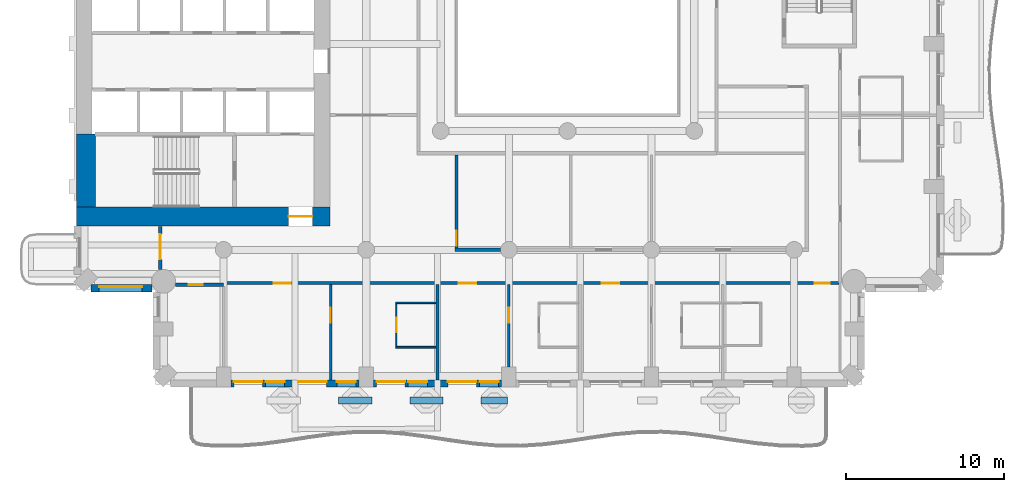
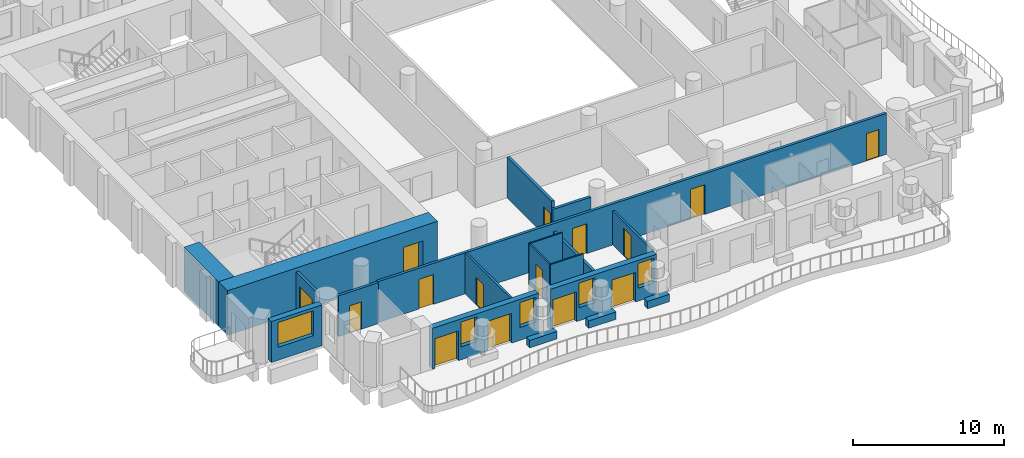
# One storey, part 3 of 19: 19 walls, 15 doors, 5 windows, 20 openings.
"""IFC4 building model written with IfcOpenShell, lengths in metres."""

from ifc_helpers import new_model, si_unit, direction, frame, frame_2d, origin, place, context, subcontext, project, spatial, rectangle, extrude, material, layer, layer_set, type_object, element, fill, save


model = new_model("IFC4")

# Units and contexts
model_context = context("Model", 3, precision=1e-05, world=origin(), true_north=direction((0.0, 1.0)))
body_context = subcontext(model_context, "Body", "Model", "MODEL_VIEW")
ifc_project = project(units=[si_unit("LENGTHUNIT", "METRE"), si_unit("AREAUNIT", "SQUARE_METRE"), si_unit("VOLUMEUNIT", "CUBIC_METRE"), si_unit("PLANEANGLEUNIT", "RADIAN"), si_unit("MASSUNIT", "GRAM", prefix="KILO")], contexts=[model_context])

# Site, building, storey
site_placement = place(None, origin())
site = spatial("IfcSite", under=ifc_project, at=site_placement, CompositionType="ELEMENT")
building_placement = place(site_placement, origin())
building = spatial("IfcBuilding", under=site, at=building_placement, Name="Cypress Arch Tower", CompositionType="ELEMENT")
storey_placement = place(building_placement, frame((0.0, 0.0, 138.300048828125)))
storey = spatial("IfcBuildingStorey", under=building, at=storey_placement, Name="L30", CompositionType="ELEMENT", Elevation=138.300048828125)

# Walls
ifc_material_1 = material(Name="Concrete C40/50, waterproofed", Category="concrete")
ifc_layer_1 = layer(ifc_material_1, 0.449951171875)
ifc_layer_set_1 = layer_set([ifc_layer_1], Name="Balcony planter wall PW450")
wall_type_1 = type_object("IfcWallType", Name="Balcony planter wall PW450", PredefinedType="SOLIDWALL", material=ifc_layer_set_1)
for number, where, z_axis, x_axis, name in (
    (1, (-13.449951171875, -27.0, 0.0), (0.0, 0.0, 1.0), (1.0, 0.0, 0.0), "Balcony planter wall L30-A03.2"),
    (2, (-8.949951171875, -27.0, 0.0), (0.0, 0.0, 1.0), (1.0, 0.0, 0.0), "Balcony planter wall L30-A03.3"),
):
    element("IfcWall", number, at=place(storey_placement, frame(where, z_axis=z_axis, x_axis=x_axis)), inside=storey, type_object=wall_type_1, Name=name, PredefinedType="SOLIDWALL", context=body_context, shape_type="SweptSolid", body=[
        extrude(rectangle(XDim=2.099853515625, YDim=0.449951171875, at=frame_2d((1.0498046875, 0.0))), origin(), (0.0, 0.0, 1.0), 0.599853515625),
    ])
wall_1_placement = place(storey_placement, frame((-4.449951171875, -27.0, 0.0), z_axis=(0.0, 0.0, 1.0), x_axis=(1.0, 0.0, 0.0)))
element("IfcWall", 3, at=wall_1_placement, inside=storey, type_object=wall_type_1, Name="Balcony planter wall L30-A03.4", PredefinedType="SOLIDWALL", context=body_context, shape_type="SweptSolid", body=[
    extrude(rectangle(XDim=1.64990234375, YDim=0.449951171875, at=frame_2d((0.824951171875, 0.0))), origin(), (0.0, 0.0, 1.0), 0.599853515625),
])

# Wall, opening, window
ifc_material_2 = material(Name="Brick (red buff blend)", Category="masonry")
ifc_layer_2 = layer(ifc_material_2, 0.449951171875)
ifc_layer_set_2 = layer_set([ifc_layer_2], Name="Brick pier and spandrel wall BW450")
wall_type_2 = type_object("IfcWallType", Name="Brick pier and spandrel wall BW450", PredefinedType="SOLIDWALL", material=ifc_layer_set_2)
wall_2_placement = place(storey_placement, frame((-29.063720703125, -19.925048828125, 0.0), z_axis=(0.0, 0.0, 1.0), x_axis=(1.0, 0.0, 0.0)))
wall_2 = element("IfcWall", 4, at=wall_2_placement, inside=storey, type_object=wall_type_2, Name="Brick wall L30 A01.0", PredefinedType="SOLIDWALL", context=body_context, shape_type="SweptSolid", body=[
    extrude(rectangle(XDim=3.856689453125, YDim=0.449951171875, at=frame_2d((1.92822265625, 0.0))), origin(), (0.0, 0.0, 1.0), 3.300048828125),
])
opening_1_placement = place(wall_2_placement, frame((0.513671875, 0.0, 1.050048828125)))
opening_1 = element("IfcOpeningElement", 5, at=opening_1_placement, cuts=wall_2, Name="Opening W270H", PredefinedType="OPENING", context=body_context, shape_type="SweptSolid", body=[
    extrude(rectangle(XDim=2.699951171875, YDim=2.0, at=frame_2d((1.35009765625, 1.0))), frame((0.0, 0.23486328125, 0.0), z_axis=(0.0, -1.0, 0.0), x_axis=(1.0, 0.0, 0.0)), (0.0, 0.0, 1.0), 0.469970703125),
])
ifc_material_3 = material(Name="Anodised aluminium, bronze finish, clear low-emissivity double glazing", Category="aluminium")
window_type_1 = type_object("IfcWindowType", Name="Window Hotel 2700x2000", PartitioningType="SINGLE_PANEL", PredefinedType="WINDOW", material=ifc_material_3)
window_1_placement = place(opening_1_placement, origin())
window_1 = element("IfcWindow", 6, at=window_1_placement, inside=storey, type_object=window_type_1, Name="Window L30 A01.0.1", OverallHeight=2.0, OverallWidth=2.699951171875, PartitioningType="SINGLE_PANEL", PredefinedType="WINDOW", context=body_context, shape_type="SweptSolid", body=[
    extrude(rectangle(XDim=2.699951171875, YDim=2.0, at=frame_2d((1.35009765625, 1.0))), frame((0.0, 0.135009765625, 0.0), z_axis=(0.0, -1.0, 0.0), x_axis=(1.0, 0.0, 0.0)), (0.0, 0.0, 1.0), 0.06005859375),
])
fill(opening_1, window_1)

# Wall, openings, doors, windows
wall_3_placement = place(storey_placement, frame((-20.25, -25.925048828125, 0.0), z_axis=(0.0, 0.0, 1.0), x_axis=(1.0, 0.0, 0.0)))
wall_3 = element("IfcWall", 7, at=wall_3_placement, inside=storey, type_object=wall_type_2, Name="Brick wall L30 A03.1", PredefinedType="SOLIDWALL", context=body_context, shape_type="SweptSolid", body=[
    extrude(rectangle(XDim=8.10009765625, YDim=0.449951171875, at=frame_2d((4.050048828125, 0.0))), origin(), (0.0, 0.0, 1.0), 3.300048828125),
])
opening_2_placement = place(wall_3_placement, frame((0.199951171875, 0.0, 0.0)))
opening_2 = element("IfcOpeningElement", 8, at=opening_2_placement, cuts=wall_3, Name="Opening D-L30-A03.1.1", PredefinedType="OPENING", context=body_context, shape_type="SweptSolid", body=[
    extrude(rectangle(XDim=1.800048828125, YDim=2.39990234375, at=frame_2d((0.89990234375, 1.199951171875))), frame((0.0, 0.23486328125, 0.0), z_axis=(0.0, -1.0, 0.0), x_axis=(1.0, 0.0, 0.0)), (0.0, 0.0, 1.0), 0.469970703125),
])
opening_3_placement = place(wall_3_placement, frame((2.199951171875, 0.0, 1.050048828125)))
opening_3 = element("IfcOpeningElement", 9, at=opening_3_placement, cuts=wall_3, Name="Opening W120HD", PredefinedType="OPENING", context=body_context, shape_type="SweptSolid", body=[
    extrude(rectangle(XDim=1.199951171875, YDim=2.0, at=frame_2d((0.60009765625, 1.0))), frame((0.0, 0.23486328125, 0.0), z_axis=(0.0, -1.0, 0.0), x_axis=(1.0, 0.0, 0.0)), (0.0, 0.0, 1.0), 0.469970703125),
])
opening_4_placement = place(wall_3_placement, frame((4.2490234375, 0.0, 0.0)))
opening_4 = element("IfcOpeningElement", 10, at=opening_4_placement, cuts=wall_3, Name="Opening D-L30-A03.1.2", PredefinedType="OPENING", context=body_context, shape_type="SweptSolid", body=[
    extrude(rectangle(XDim=1.800048828125, YDim=2.39990234375, at=frame_2d((0.89990234375, 1.199951171875))), frame((0.0, 0.23486328125, 0.0), z_axis=(0.0, -1.0, 0.0), x_axis=(1.0, 0.0, 0.0)), (0.0, 0.0, 1.0), 0.469970703125),
])
opening_5_placement = place(wall_3_placement, frame((6.699951171875, 0.0, 1.050048828125)))
opening_5 = element("IfcOpeningElement", 11, at=opening_5_placement, cuts=wall_3, Name="Opening W120HD", PredefinedType="OPENING", context=body_context, shape_type="SweptSolid", body=[
    extrude(rectangle(XDim=1.199951171875, YDim=2.0, at=frame_2d((0.60009765625, 1.0))), frame((0.0, 0.23486328125, 0.0), z_axis=(0.0, -1.0, 0.0), x_axis=(1.0, 0.0, 0.0)), (0.0, 0.0, 1.0), 0.469970703125),
])
ifc_material_4 = material(Name="Anodised aluminium, bronze finish, laminated low-emissivity double glazing, large-missile impact rated", Category="aluminium")
door_type_1 = type_object("IfcDoorType", Name="Balcony sliding door 1800x2400", OperationType="SLIDING_TO_LEFT", PredefinedType="DOOR", material=ifc_material_4)
door_1_placement = place(opening_2_placement, origin())
door_1 = element("IfcDoor", 12, at=door_1_placement, inside=storey, type_object=door_type_1, Name="Balcony door L30 A03.1.1", OperationType="SLIDING_TO_LEFT", OverallHeight=2.39990234375, OverallWidth=1.800048828125, PredefinedType="DOOR", context=body_context, shape_type="SweptSolid", body=[
    extrude(rectangle(XDim=1.800048828125, YDim=2.39990234375, at=frame_2d((0.89990234375, 1.199951171875))), frame((0.0, 0.1298828125, 0.0), z_axis=(0.0, -1.0, 0.0), x_axis=(1.0, 0.0, 0.0)), (0.0, 0.0, 1.0), 0.050048828125),
])
fill(opening_2, door_1)
door_2_placement = place(opening_4_placement, origin())
door_2 = element("IfcDoor", 13, at=door_2_placement, inside=storey, type_object=door_type_1, Name="Balcony door L30 A03.1.2", OperationType="SLIDING_TO_LEFT", OverallHeight=2.39990234375, OverallWidth=1.800048828125, PredefinedType="DOOR", context=body_context, shape_type="SweptSolid", body=[
    extrude(rectangle(XDim=1.800048828125, YDim=2.39990234375, at=frame_2d((0.89990234375, 1.199951171875))), frame((0.0, 0.1298828125, 0.0), z_axis=(0.0, -1.0, 0.0), x_axis=(1.0, 0.0, 0.0)), (0.0, 0.0, 1.0), 0.050048828125),
])
fill(opening_4, door_2)
ifc_material_5 = material(Name="Anodised aluminium, bronze finish, laminated low-emissivity double glazing, large-missile impact rated", Category="aluminium")
window_type_2 = type_object("IfcWindowType", Name="Window Hotel 1200x2000 debris-rated", PartitioningType="SINGLE_PANEL", PredefinedType="WINDOW", material=ifc_material_5)
window_2_placement = place(opening_3_placement, origin())
window_2 = element("IfcWindow", 14, at=window_2_placement, inside=storey, type_object=window_type_2, Name="Window L30 A03.1.1", OverallHeight=2.0, OverallWidth=1.199951171875, PartitioningType="SINGLE_PANEL", PredefinedType="WINDOW", context=body_context, shape_type="SweptSolid", body=[
    extrude(rectangle(XDim=1.199951171875, YDim=2.0, at=frame_2d((0.60009765625, 1.0))), frame((0.0, 0.135009765625, 0.0), z_axis=(0.0, -1.0, 0.0), x_axis=(1.0, 0.0, 0.0)), (0.0, 0.0, 1.0), 0.06005859375),
])
fill(opening_3, window_2)
window_3_placement = place(opening_5_placement, origin())
window_3 = element("IfcWindow", 15, at=window_3_placement, inside=storey, type_object=window_type_2, Name="Window L30 A03.1.2", OverallHeight=2.0, OverallWidth=1.199951171875, PartitioningType="SINGLE_PANEL", PredefinedType="WINDOW", context=body_context, shape_type="SweptSolid", body=[
    extrude(rectangle(XDim=1.199951171875, YDim=2.0, at=frame_2d((0.60009765625, 1.0))), frame((0.0, 0.135009765625, 0.0), z_axis=(0.0, -1.0, 0.0), x_axis=(1.0, 0.0, 0.0)), (0.0, 0.0, 1.0), 0.06005859375),
])
fill(opening_5, window_3)

wall_4_placement = place(storey_placement, frame((-11.25, -25.925048828125, 0.0), z_axis=(0.0, 0.0, 1.0), x_axis=(1.0, 0.0, 0.0)))
wall_4 = element("IfcWall", 16, at=wall_4_placement, inside=storey, type_object=wall_type_2, Name="Brick wall L30 A03.2", PredefinedType="SOLIDWALL", context=body_context, shape_type="SweptSolid", body=[
    extrude(rectangle(XDim=8.10009765625, YDim=0.449951171875, at=frame_2d((4.050048828125, 0.0))), origin(), (0.0, 0.0, 1.0), 3.300048828125),
])
opening_6_placement = place(wall_4_placement, frame((0.199951171875, 0.0, 0.0)))
opening_6 = element("IfcOpeningElement", 17, at=opening_6_placement, cuts=wall_4, Name="Opening D-L30-A03.2.1", PredefinedType="OPENING", context=body_context, shape_type="SweptSolid", body=[
    extrude(rectangle(XDim=1.800048828125, YDim=2.39990234375, at=frame_2d((0.89990234375, 1.199951171875))), frame((0.0, 0.23486328125, 0.0), z_axis=(0.0, -1.0, 0.0), x_axis=(1.0, 0.0, 0.0)), (0.0, 0.0, 1.0), 0.469970703125),
])
opening_7_placement = place(wall_4_placement, frame((2.199951171875, 0.0, 1.050048828125)))
opening_7 = element("IfcOpeningElement", 18, at=opening_7_placement, cuts=wall_4, Name="Opening W120HD", PredefinedType="OPENING", context=body_context, shape_type="SweptSolid", body=[
    extrude(rectangle(XDim=1.199951171875, YDim=2.0, at=frame_2d((0.60009765625, 1.0))), frame((0.0, 0.23486328125, 0.0), z_axis=(0.0, -1.0, 0.0), x_axis=(1.0, 0.0, 0.0)), (0.0, 0.0, 1.0), 0.469970703125),
])
opening_8_placement = place(wall_4_placement, frame((4.699951171875, 0.0, 0.0)))
opening_8 = element("IfcOpeningElement", 19, at=opening_8_placement, cuts=wall_4, Name="Opening D-L30-A03.2.2", PredefinedType="OPENING", context=body_context, shape_type="SweptSolid", body=[
    extrude(rectangle(XDim=1.800048828125, YDim=2.39990234375, at=frame_2d((0.89990234375, 1.199951171875))), frame((0.0, 0.23486328125, 0.0), z_axis=(0.0, -1.0, 0.0), x_axis=(1.0, 0.0, 0.0)), (0.0, 0.0, 1.0), 0.469970703125),
])
opening_9_placement = place(wall_4_placement, frame((6.699951171875, 0.0, 1.050048828125)))
opening_9 = element("IfcOpeningElement", 20, at=opening_9_placement, cuts=wall_4, Name="Opening W120HD", PredefinedType="OPENING", context=body_context, shape_type="SweptSolid", body=[
    extrude(rectangle(XDim=1.199951171875, YDim=2.0, at=frame_2d((0.60009765625, 1.0))), frame((0.0, 0.23486328125, 0.0), z_axis=(0.0, -1.0, 0.0), x_axis=(1.0, 0.0, 0.0)), (0.0, 0.0, 1.0), 0.469970703125),
])
door_3_placement = place(opening_6_placement, origin())
door_3 = element("IfcDoor", 21, at=door_3_placement, inside=storey, type_object=door_type_1, Name="Balcony door L30 A03.2.1", OperationType="SLIDING_TO_LEFT", OverallHeight=2.39990234375, OverallWidth=1.800048828125, PredefinedType="DOOR", context=body_context, shape_type="SweptSolid", body=[
    extrude(rectangle(XDim=1.800048828125, YDim=2.39990234375, at=frame_2d((0.89990234375, 1.199951171875))), frame((0.0, 0.1298828125, 0.0), z_axis=(0.0, -1.0, 0.0), x_axis=(1.0, 0.0, 0.0)), (0.0, 0.0, 1.0), 0.050048828125),
])
fill(opening_6, door_3)
door_4_placement = place(opening_8_placement, origin())
door_4 = element("IfcDoor", 22, at=door_4_placement, inside=storey, type_object=door_type_1, Name="Balcony door L30 A03.2.2", OperationType="SLIDING_TO_LEFT", OverallHeight=2.39990234375, OverallWidth=1.800048828125, PredefinedType="DOOR", context=body_context, shape_type="SweptSolid", body=[
    extrude(rectangle(XDim=1.800048828125, YDim=2.39990234375, at=frame_2d((0.89990234375, 1.199951171875))), frame((0.0, 0.1298828125, 0.0), z_axis=(0.0, -1.0, 0.0), x_axis=(1.0, 0.0, 0.0)), (0.0, 0.0, 1.0), 0.050048828125),
])
fill(opening_8, door_4)
window_4_placement = place(opening_7_placement, origin())
window_4 = element("IfcWindow", 23, at=window_4_placement, inside=storey, type_object=window_type_2, Name="Window L30 A03.2.1", OverallHeight=2.0, OverallWidth=1.199951171875, PartitioningType="SINGLE_PANEL", PredefinedType="WINDOW", context=body_context, shape_type="SweptSolid", body=[
    extrude(rectangle(XDim=1.199951171875, YDim=2.0, at=frame_2d((0.60009765625, 1.0))), frame((0.0, 0.135009765625, 0.0), z_axis=(0.0, -1.0, 0.0), x_axis=(1.0, 0.0, 0.0)), (0.0, 0.0, 1.0), 0.06005859375),
])
fill(opening_7, window_4)
window_5_placement = place(opening_9_placement, origin())
window_5 = element("IfcWindow", 24, at=window_5_placement, inside=storey, type_object=window_type_2, Name="Window L30 A03.2.2", OverallHeight=2.0, OverallWidth=1.199951171875, PartitioningType="SINGLE_PANEL", PredefinedType="WINDOW", context=body_context, shape_type="SweptSolid", body=[
    extrude(rectangle(XDim=1.199951171875, YDim=2.0, at=frame_2d((0.60009765625, 1.0))), frame((0.0, 0.135009765625, 0.0), z_axis=(0.0, -1.0, 0.0), x_axis=(1.0, 0.0, 0.0)), (0.0, 0.0, 1.0), 0.06005859375),
])
fill(opening_9, window_5)

# Wall, opening, door
ifc_material_6 = material(Name="Concrete C80/95", Category="concrete")
ifc_layer_3 = layer(ifc_material_6, 1.199951171875)
ifc_layer_set_3 = layer_set([ifc_layer_3], Name="Core wall CW1200 C80/95")
wall_type_3 = type_object("IfcWallType", Name="Core wall CW1200 C80/95", PredefinedType="SHEAR", material=ifc_layer_set_3)
wall_5_placement = place(storey_placement, frame((-30.0, -15.39990234375, 0.0), z_axis=(0.0, 0.0, 1.0), x_axis=(1.0, 0.0, 0.0)))
wall_5 = element("IfcWall", 25, at=wall_5_placement, inside=storey, type_object=wall_type_3, Name="Core wall", PredefinedType="SHEAR", context=body_context, shape_type="SweptSolid", body=[
    extrude(rectangle(XDim=16.0, YDim=1.199951171875, at=frame_2d((8.0, 0.0))), origin(), (0.0, 0.0, 1.0), 3.599853515625),
])
opening_10_placement = place(wall_5_placement, frame((13.39990234375, 0.0, 0.0)))
opening_10 = element("IfcOpeningElement", 26, at=opening_10_placement, cuts=wall_5, Name="Opening D07", PredefinedType="OPENING", context=body_context, shape_type="SweptSolid", body=[
    extrude(rectangle(XDim=1.5, YDim=2.39990234375, at=frame_2d((0.75, 1.199951171875))), frame((0.0, 0.60986328125, 0.0), z_axis=(0.0, -1.0, 0.0), x_axis=(1.0, 0.0, 0.0)), (0.0, 0.0, 1.0), 1.219970703125),
])
ifc_material_7 = material(Name="Steel framed glazed door, fire resisting", Category="steel")
door_type_2 = type_object("IfcDoorType", Name="Lobby door D07 1500x2400", OperationType="DOUBLE_DOOR_SINGLE_SWING", PredefinedType="DOOR", material=ifc_material_7)
door_5_placement = place(opening_10_placement, origin())
door_5 = element("IfcDoor", 27, at=door_5_placement, inside=storey, type_object=door_type_2, Name="Lobby door", OperationType="DOUBLE_DOOR_SINGLE_SWING", OverallHeight=2.39990234375, OverallWidth=1.5, PredefinedType="DOOR", context=body_context, shape_type="SweptSolid", body=[
    extrude(rectangle(XDim=1.5, YDim=2.39990234375, at=frame_2d((0.75, 1.199951171875))), frame((0.0, 0.02490234375, 0.0), z_axis=(0.0, -1.0, 0.0), x_axis=(1.0, 0.0, 0.0)), (0.0, 0.0, 1.0), 0.050048828125),
])
fill(opening_10, door_5)

# Wall
wall_6_placement = place(storey_placement, frame((-29.39990234375, -14.800048828125, 0.0), z_axis=(0.0, 0.0, 1.0), x_axis=(0.0, 1.0, 0.0)))
element("IfcWall", 28, at=wall_6_placement, inside=storey, type_object=wall_type_3, Name="Core wall", PredefinedType="SHEAR", context=body_context, shape_type="SweptSolid", body=[
    extrude(rectangle(XDim=4.60009765625, YDim=1.199951171875, at=frame_2d((2.300048828125, 0.0))), origin(), (0.0, 0.0, 1.0), 3.599853515625),
])

# Wall, opening, door
ifc_material_8 = material(Name="Concrete blockwork, plastered, rated", Category="masonry")
ifc_layer_4 = layer(ifc_material_8, 0.199951171875)
ifc_layer_set_4 = layer_set([ifc_layer_4], Name="Corridor wall FW200")
wall_type_4 = type_object("IfcWallType", Name="Corridor wall FW200", PredefinedType="PARTITIONING", material=ifc_layer_set_4)
wall_7_placement = place(storey_placement, frame((-24.699951171875, -18.752197265625, 0.0), z_axis=(0.0, 0.0, 1.0), x_axis=(0.0, 1.0, 0.0)))
wall_7 = element("IfcWall", 29, at=wall_7_placement, inside=storey, type_object=wall_type_4, Name="Corridor wall", PredefinedType="PARTITIONING", context=body_context, shape_type="SweptSolid", body=[
    extrude(rectangle(XDim=2.72216796875, YDim=0.199951171875, at=frame_2d((1.361083984375, 0.0))), origin(), (0.0, 0.0, 1.0), 3.300048828125),
])
opening_11_placement = place(wall_7_placement, frame((0.64990234375, 0.0, 0.0)))
opening_11 = element("IfcOpeningElement", 30, at=opening_11_placement, cuts=wall_7, Name="Opening D10", PredefinedType="OPENING", context=body_context, shape_type="SweptSolid", body=[
    extrude(rectangle(XDim=1.60009765625, YDim=2.39990234375, at=frame_2d((0.800048828125, 1.199951171875))), frame((0.0, 0.10986328125, 0.0), z_axis=(0.0, -1.0, 0.0), x_axis=(1.0, 0.0, 0.0)), (0.0, 0.0, 1.0), 0.219970703125),
])
ifc_material_9 = material(Name="Black aluminium glazed door", Category="aluminium")
door_type_3 = type_object("IfcDoorType", Name="Amenity door D10 1600x2400", OperationType="DOUBLE_DOOR_SINGLE_SWING", PredefinedType="DOOR", material=ifc_material_9)
door_6_placement = place(opening_11_placement, origin())
door_6 = element("IfcDoor", 31, at=door_6_placement, inside=storey, type_object=door_type_3, Name="Amenity door", OperationType="DOUBLE_DOOR_SINGLE_SWING", OverallHeight=2.39990234375, OverallWidth=1.60009765625, PredefinedType="DOOR", context=body_context, shape_type="SweptSolid", body=[
    extrude(rectangle(XDim=1.60009765625, YDim=2.39990234375, at=frame_2d((0.800048828125, 1.199951171875))), frame((0.0, 0.02490234375, 0.0), z_axis=(0.0, -1.0, 0.0), x_axis=(1.0, 0.0, 0.0)), (0.0, 0.0, 1.0), 0.050048828125),
])
fill(opening_11, door_6)

wall_8_placement = place(storey_placement, frame((-23.752197265625, -19.699951171875, 0.0), z_axis=(0.0, 0.0, 1.0), x_axis=(1.0, 0.0, 0.0)))
wall_8 = element("IfcWall", 32, at=wall_8_placement, inside=storey, type_object=wall_type_4, Name="Corridor wall", PredefinedType="PARTITIONING", context=body_context, shape_type="SweptSolid", body=[
    extrude(rectangle(XDim=3.05224609375, YDim=0.199951171875, at=frame_2d((1.526123046875, 0.0))), origin(), (0.0, 0.0, 1.0), 3.300048828125),
])
opening_12_placement = place(wall_8_placement, frame((0.85009765625, 0.0, 0.0)))
opening_12 = element("IfcOpeningElement", 33, at=opening_12_placement, cuts=wall_8, Name="Opening D05", PredefinedType="OPENING", context=body_context, shape_type="SweptSolid", body=[
    extrude(rectangle(XDim=0.89990234375, YDim=2.199951171875, at=frame_2d((0.449951171875, 1.10009765625))), frame((0.0, 0.10986328125, 0.0), z_axis=(0.0, -1.0, 0.0), x_axis=(1.0, 0.0, 0.0)), (0.0, 0.0, 1.0), 0.219970703125),
])
ifc_material_10 = material(Name="Timber flush door", Category="wood")
door_type_4 = type_object("IfcDoorType", Name="Service door D05 900x2200", OperationType="SINGLE_SWING_LEFT", PredefinedType="DOOR", material=ifc_material_10)
door_7_placement = place(opening_12_placement, origin())
door_7 = element("IfcDoor", 34, at=door_7_placement, inside=storey, type_object=door_type_4, Name="Service door", OperationType="SINGLE_SWING_RIGHT", OverallHeight=2.199951171875, OverallWidth=0.89990234375, PredefinedType="DOOR", context=body_context, shape_type="SweptSolid", body=[
    extrude(rectangle(XDim=0.89990234375, YDim=2.199951171875, at=frame_2d((0.449951171875, 1.10009765625))), frame((0.0, 0.02490234375, 0.0), z_axis=(0.0, -1.0, 0.0), x_axis=(1.0, 0.0, 0.0)), (0.0, 0.0, 1.0), 0.050048828125),
])
fill(opening_12, door_7)

# Wall, openings, doors
wall_9_placement = place(storey_placement, frame((-20.699951171875, -19.60009765625, 0.0), z_axis=(0.0, 0.0, 1.0), x_axis=(1.0, 0.0, 0.0)))
wall_9 = element("IfcWall", 35, at=wall_9_placement, inside=storey, type_object=wall_type_4, Name="Corridor wall", PredefinedType="PARTITIONING", context=body_context, shape_type="SweptSolid", body=[
    extrude(rectangle(XDim=38.824951171875, YDim=0.199951171875, at=frame_2d((19.41259765625, 0.0))), origin(), (0.0, 0.0, 1.0), 3.300048828125),
])
opening_13_placement = place(wall_9_placement, frame((3.14990234375, 0.0, 0.0)))
opening_13 = element("IfcOpeningElement", 36, at=opening_13_placement, cuts=wall_9, Name="Opening D01", PredefinedType="OPENING", context=body_context, shape_type="SweptSolid", body=[
    extrude(rectangle(XDim=1.10009765625, YDim=2.39990234375, at=frame_2d((0.550048828125, 1.199951171875))), frame((0.0, 0.10986328125, 0.0), z_axis=(0.0, -1.0, 0.0), x_axis=(1.0, 0.0, 0.0)), (0.0, 0.0, 1.0), 0.219970703125),
])
opening_14_placement = place(wall_9_placement, frame((14.85009765625, 0.0, 0.0)))
opening_14 = element("IfcOpeningElement", 37, at=opening_14_placement, cuts=wall_9, Name="Opening D01", PredefinedType="OPENING", context=body_context, shape_type="SweptSolid", body=[
    extrude(rectangle(XDim=1.10009765625, YDim=2.39990234375, at=frame_2d((0.550048828125, 1.199951171875))), frame((0.0, 0.10986328125, 0.0), z_axis=(0.0, -1.0, 0.0), x_axis=(1.0, 0.0, 0.0)), (0.0, 0.0, 1.0), 0.219970703125),
])
opening_15_placement = place(wall_9_placement, frame((23.85009765625, 0.0, 0.0)))
opening_15 = element("IfcOpeningElement", 38, at=opening_15_placement, cuts=wall_9, Name="Opening D01", PredefinedType="OPENING", context=body_context, shape_type="SweptSolid", body=[
    extrude(rectangle(XDim=1.10009765625, YDim=2.39990234375, at=frame_2d((0.550048828125, 1.199951171875))), frame((0.0, 0.10986328125, 0.0), z_axis=(0.0, -1.0, 0.0), x_axis=(1.0, 0.0, 0.0)), (0.0, 0.0, 1.0), 0.219970703125),
])
opening_16_placement = place(wall_9_placement, frame((37.300048828125, 0.0, 0.0)))
opening_16 = element("IfcOpeningElement", 39, at=opening_16_placement, cuts=wall_9, Name="Opening D02", PredefinedType="OPENING", context=body_context, shape_type="SweptSolid", body=[
    extrude(rectangle(XDim=0.949951171875, YDim=2.199951171875, at=frame_2d((0.47509765625, 1.10009765625))), frame((0.0, 0.10986328125, 0.0), z_axis=(0.0, -1.0, 0.0), x_axis=(1.0, 0.0, 0.0)), (0.0, 0.0, 1.0), 0.219970703125),
])
ifc_material_11 = material(Name="Timber flush door, fire resisting", Category="wood")
door_type_5 = type_object("IfcDoorType", Name="Room door D02 950x2200", OperationType="SINGLE_SWING_LEFT", PredefinedType="DOOR", material=ifc_material_11)
door_8_placement = place(opening_16_placement, origin())
door_8 = element("IfcDoor", 40, at=door_8_placement, inside=storey, type_object=door_type_5, Name="Room door", OperationType="SINGLE_SWING_LEFT", OverallHeight=2.199951171875, OverallWidth=0.949951171875, PredefinedType="DOOR", context=body_context, shape_type="SweptSolid", body=[
    extrude(rectangle(XDim=0.949951171875, YDim=2.199951171875, at=frame_2d((0.47509765625, 1.10009765625))), frame((0.0, 0.02490234375, 0.0), z_axis=(0.0, -1.0, 0.0), x_axis=(1.0, 0.0, 0.0)), (0.0, 0.0, 1.0), 0.050048828125),
])
fill(opening_16, door_8)
ifc_material_12 = material(Name="Timber flush door, fire resisting, self-closing", Category="wood")
door_type_6 = type_object("IfcDoorType", Name="Unit entrance door D01 1100x2400", OperationType="SINGLE_SWING_LEFT", PredefinedType="DOOR", material=ifc_material_12)
door_9_placement = place(opening_13_placement, origin())
door_9 = element("IfcDoor", 41, at=door_9_placement, inside=storey, type_object=door_type_6, Name="Unit entrance door", OperationType="SINGLE_SWING_LEFT", OverallHeight=2.39990234375, OverallWidth=1.10009765625, PredefinedType="DOOR", context=body_context, shape_type="SweptSolid", body=[
    extrude(rectangle(XDim=1.10009765625, YDim=2.39990234375, at=frame_2d((0.550048828125, 1.199951171875))), frame((0.0, 0.02490234375, 0.0), z_axis=(0.0, -1.0, 0.0), x_axis=(1.0, 0.0, 0.0)), (0.0, 0.0, 1.0), 0.050048828125),
])
fill(opening_13, door_9)
door_10_placement = place(opening_14_placement, origin())
door_10 = element("IfcDoor", 42, at=door_10_placement, inside=storey, type_object=door_type_6, Name="Unit entrance door", OperationType="SINGLE_SWING_RIGHT", OverallHeight=2.39990234375, OverallWidth=1.10009765625, PredefinedType="DOOR", context=body_context, shape_type="SweptSolid", body=[
    extrude(rectangle(XDim=1.10009765625, YDim=2.39990234375, at=frame_2d((0.550048828125, 1.199951171875))), frame((0.0, 0.02490234375, 0.0), z_axis=(0.0, -1.0, 0.0), x_axis=(1.0, 0.0, 0.0)), (0.0, 0.0, 1.0), 0.050048828125),
])
fill(opening_14, door_10)
door_11_placement = place(opening_15_placement, origin())
door_11 = element("IfcDoor", 43, at=door_11_placement, inside=storey, type_object=door_type_6, Name="Unit entrance door", OperationType="SINGLE_SWING_RIGHT", OverallHeight=2.39990234375, OverallWidth=1.10009765625, PredefinedType="DOOR", context=body_context, shape_type="SweptSolid", body=[
    extrude(rectangle(XDim=1.10009765625, YDim=2.39990234375, at=frame_2d((0.550048828125, 1.199951171875))), frame((0.0, 0.02490234375, 0.0), z_axis=(0.0, -1.0, 0.0), x_axis=(1.0, 0.0, 0.0)), (0.0, 0.0, 1.0), 0.050048828125),
])
fill(opening_15, door_11)

# Wall, opening, door
wall_10_placement = place(storey_placement, frame((-6.0, -17.39990234375, 0.0), z_axis=(0.0, 0.0, 1.0), x_axis=(0.0, 1.0, 0.0)))
wall_10 = element("IfcWall", 44, at=wall_10_placement, inside=storey, type_object=wall_type_4, Name="Corridor wall", PredefinedType="PARTITIONING", context=body_context, shape_type="SweptSolid", body=[
    extrude(rectangle(XDim=5.89990234375, YDim=0.199951171875, at=frame_2d((2.949951171875, 0.0))), origin(), (0.0, 0.0, 1.0), 3.300048828125),
])
opening_17_placement = place(wall_10_placement, frame((0.14990234375, 0.0, 0.0)))
opening_17 = element("IfcOpeningElement", 45, at=opening_17_placement, cuts=wall_10, Name="Opening D02", PredefinedType="OPENING", context=body_context, shape_type="SweptSolid", body=[
    extrude(rectangle(XDim=0.949951171875, YDim=2.199951171875, at=frame_2d((0.47509765625, 1.10009765625))), frame((0.0, 0.10986328125, 0.0), z_axis=(0.0, -1.0, 0.0), x_axis=(1.0, 0.0, 0.0)), (0.0, 0.0, 1.0), 0.219970703125),
])
door_12_placement = place(opening_17_placement, origin())
door_12 = element("IfcDoor", 46, at=door_12_placement, inside=storey, type_object=door_type_5, Name="Room door", OperationType="SINGLE_SWING_RIGHT", OverallHeight=2.199951171875, OverallWidth=0.949951171875, PredefinedType="DOOR", context=body_context, shape_type="SweptSolid", body=[
    extrude(rectangle(XDim=0.949951171875, YDim=2.199951171875, at=frame_2d((0.47509765625, 1.10009765625))), frame((0.0, 0.02490234375, 0.0), z_axis=(0.0, -1.0, 0.0), x_axis=(1.0, 0.0, 0.0)), (0.0, 0.0, 1.0), 0.050048828125),
])
fill(opening_17, door_12)

# Wall
wall_11_placement = place(storey_placement, frame((-6.10009765625, -17.5, 0.0), z_axis=(0.0, 0.0, 1.0), x_axis=(1.0, 0.0, 0.0)))
element("IfcWall", 47, at=wall_11_placement, inside=storey, type_object=wall_type_4, Name="Corridor wall", PredefinedType="PARTITIONING", context=body_context, shape_type="SweptSolid", body=[
    extrude(rectangle(XDim=2.875, YDim=0.199951171875, at=frame_2d((1.4375, 0.0))), origin(), (0.0, 0.0, 1.0), 2.75),
])

# Wall, opening, door
ifc_material_13 = material(Name="Blockwork, plastered both sides", Category="masonry")
ifc_layer_5 = layer(ifc_material_13, 0.14990234375)
ifc_layer_set_5 = layer_set([ifc_layer_5], Name="Partition PW150")
wall_type_5 = type_object("IfcWallType", Name="Partition PW150", PredefinedType="PARTITIONING", material=ifc_layer_set_5)
wall_12_placement = place(storey_placement, frame((-13.950927734375, -25.699951171875, 0.0), z_axis=(0.0, 0.0, 1.0), x_axis=(0.0, 1.0, 0.0)))
wall_12 = element("IfcWall", 48, at=wall_12_placement, inside=storey, type_object=wall_type_5, Name="Partition", PredefinedType="PARTITIONING", context=body_context, shape_type="SweptSolid", body=[
    extrude(rectangle(XDim=6.0, YDim=0.14990234375, at=frame_2d((3.0, 0.0))), origin(), (0.0, 0.0, 1.0), 3.300048828125),
])
opening_18_placement = place(wall_12_placement, frame((3.60009765625, 0.0, 0.0)))
opening_18 = element("IfcOpeningElement", 49, at=opening_18_placement, cuts=wall_12, Name="Opening D12", PredefinedType="OPENING", context=body_context, shape_type="SweptSolid", body=[
    extrude(rectangle(XDim=0.949951171875, YDim=2.199951171875, at=frame_2d((0.47509765625, 1.10009765625))), frame((0.0, 0.0849609375, 0.0), z_axis=(0.0, -1.0, 0.0), x_axis=(1.0, 0.0, 0.0)), (0.0, 0.0, 1.0), 0.169921875),
])
ifc_material_14 = material(Name="Timber flush door", Category="wood")
door_type_7 = type_object("IfcDoorType", Name="Room door D12 950x2200", OperationType="SINGLE_SWING_LEFT", PredefinedType="DOOR", material=ifc_material_14)
door_13_placement = place(opening_18_placement, origin())
door_13 = element("IfcDoor", 50, at=door_13_placement, inside=storey, type_object=door_type_7, Name="Room door", OperationType="SINGLE_SWING_RIGHT", OverallHeight=2.199951171875, OverallWidth=0.949951171875, PredefinedType="DOOR", context=body_context, shape_type="SweptSolid", body=[
    extrude(rectangle(XDim=0.949951171875, YDim=2.199951171875, at=frame_2d((0.47509765625, 1.10009765625))), frame((0.0, 0.02490234375, 0.0), z_axis=(0.0, -1.0, 0.0), x_axis=(1.0, 0.0, 0.0)), (0.0, 0.0, 1.0), 0.050048828125),
])
fill(opening_18, door_13)

wall_13_placement = place(storey_placement, frame((-2.699951171875, -24.89990234375, 0.0), z_axis=(0.0, 0.0, 1.0), x_axis=(0.0, 1.0, 0.0)))
wall_13 = element("IfcWall", 51, at=wall_13_placement, inside=storey, type_object=wall_type_5, Name="Partition", PredefinedType="PARTITIONING", context=body_context, shape_type="SweptSolid", body=[
    extrude(rectangle(XDim=5.199951171875, YDim=0.14990234375, at=frame_2d((2.60009765625, 0.0))), origin(), (0.0, 0.0, 1.0), 2.75),
])
opening_19_placement = place(wall_13_placement, frame((2.800048828125, 0.0, 0.0)))
opening_19 = element("IfcOpeningElement", 52, at=opening_19_placement, cuts=wall_13, Name="Opening D12", PredefinedType="OPENING", context=body_context, shape_type="SweptSolid", body=[
    extrude(rectangle(XDim=0.949951171875, YDim=2.199951171875, at=frame_2d((0.47509765625, 1.10009765625))), frame((0.0, 0.0849609375, 0.0), z_axis=(0.0, -1.0, 0.0), x_axis=(1.0, 0.0, 0.0)), (0.0, 0.0, 1.0), 0.169921875),
])
door_14_placement = place(opening_19_placement, origin())
door_14 = element("IfcDoor", 53, at=door_14_placement, inside=storey, type_object=door_type_7, Name="Room door", OperationType="SINGLE_SWING_RIGHT", OverallHeight=2.199951171875, OverallWidth=0.949951171875, PredefinedType="DOOR", context=body_context, shape_type="SweptSolid", body=[
    extrude(rectangle(XDim=0.949951171875, YDim=2.199951171875, at=frame_2d((0.47509765625, 1.10009765625))), frame((0.0, 0.02490234375, 0.0), z_axis=(0.0, -1.0, 0.0), x_axis=(1.0, 0.0, 0.0)), (0.0, 0.0, 1.0), 0.050048828125),
])
fill(opening_19, door_14)

# Wall
ifc_material_15 = material(Name="Dense blockwork, plastered both sides, acoustic and rated", Category="masonry")
ifc_layer_6 = layer(ifc_material_15, 0.199951171875)
ifc_layer_set_6 = layer_set([ifc_layer_6], Name="Party wall PW200")
wall_type_6 = type_object("IfcWallType", Name="Party wall PW200", PredefinedType="PARTITIONING", material=ifc_layer_set_6)
wall_14_placement = place(storey_placement, frame((-7.199951171875, -25.699951171875, 0.0), z_axis=(0.0, 0.0, 1.0), x_axis=(0.0, 1.0, 0.0)))
element("IfcWall", 54, at=wall_14_placement, inside=storey, type_object=wall_type_6, Name="Party wall", PredefinedType="PARTITIONING", context=body_context, shape_type="SweptSolid", body=[
    extrude(rectangle(XDim=6.0, YDim=0.199951171875, at=frame_2d((3.0, 0.0))), origin(), (0.0, 0.0, 1.0), 2.64990234375),
])

# Wall, opening, door
ifc_material_16 = material(Name="Moisture resistant board on steel studs, tiled", Category="steel")
ifc_layer_7 = layer(ifc_material_16, 0.10009765625)
ifc_layer_set_7 = layer_set([ifc_layer_7], Name="Wet wall PW100")
wall_type_7 = type_object("IfcWallType", Name="Wet wall PW100", PredefinedType="PARTITIONING", material=ifc_layer_set_7)
wall_15_placement = place(storey_placement, frame((-9.7958984375, -23.60009765625, 0.0), z_axis=(0.0, 0.0, 1.0), x_axis=(0.0, 1.0, 0.0)))
wall_15 = element("IfcWall", 55, at=wall_15_placement, inside=storey, type_object=wall_type_7, Name="Wet wall", PredefinedType="PARTITIONING", context=body_context, shape_type="SweptSolid", body=[
    extrude(rectangle(XDim=2.7001953125, YDim=0.10009765625, at=frame_2d((1.35009765625, 0.0))), origin(), (0.0, 0.0, 1.0), 3.300048828125),
])
opening_20_placement = place(wall_15_placement, frame((0.89990234375, 0.0, 0.0)))
opening_20 = element("IfcOpeningElement", 56, at=opening_20_placement, cuts=wall_15, Name="Opening D03", PredefinedType="OPENING", context=body_context, shape_type="SweptSolid", body=[
    extrude(rectangle(XDim=0.89990234375, YDim=2.199951171875, at=frame_2d((0.449951171875, 1.10009765625))), frame((0.0, 0.06005859375, 0.0), z_axis=(0.0, -1.0, 0.0), x_axis=(1.0, 0.0, 0.0)), (0.0, 0.0, 1.0), 0.1201171875),
])
ifc_material_17 = material(Name="Timber flush door, moisture resistant", Category="wood")
door_type_8 = type_object("IfcDoorType", Name="Bathroom door D03 900x2200", OperationType="SINGLE_SWING_LEFT", PredefinedType="DOOR", material=ifc_material_17)
door_15_placement = place(opening_20_placement, origin())
door_15 = element("IfcDoor", 57, at=door_15_placement, inside=storey, type_object=door_type_8, Name="Bathroom door", OperationType="SINGLE_SWING_LEFT", OverallHeight=2.199951171875, OverallWidth=0.89990234375, PredefinedType="DOOR", context=body_context, shape_type="SweptSolid", body=[
    extrude(rectangle(XDim=0.89990234375, YDim=2.199951171875, at=frame_2d((0.449951171875, 1.10009765625))), frame((0.0, 0.02490234375, 0.0), z_axis=(0.0, -1.0, 0.0), x_axis=(1.0, 0.0, 0.0)), (0.0, 0.0, 1.0), 0.050048828125),
])
fill(opening_20, door_15)

# Walls
for number, where, z_axis, x_axis, name in (
    (58, (-9.845947265625, -23.64990234375, 0.0), (0.0, 0.0, 1.0), (1.0, 0.0, 0.0), "Wet wall"),
    (59, (-9.845947265625, -20.85009765625, 0.0), (0.0, 0.0, 1.0), (1.0, 0.0, 0.0), "Wet wall"),
):
    element("IfcWall", number, at=place(storey_placement, frame(where, z_axis=z_axis, x_axis=x_axis)), inside=storey, type_object=wall_type_7, Name=name, PredefinedType="PARTITIONING", context=body_context, shape_type="SweptSolid", body=[
        extrude(rectangle(XDim=2.5458984375, YDim=0.10009765625, at=frame_2d((1.27294921875, 0.0))), origin(), (0.0, 0.0, 1.0), 3.300048828125),
    ])

save(model, "model.ifc")
